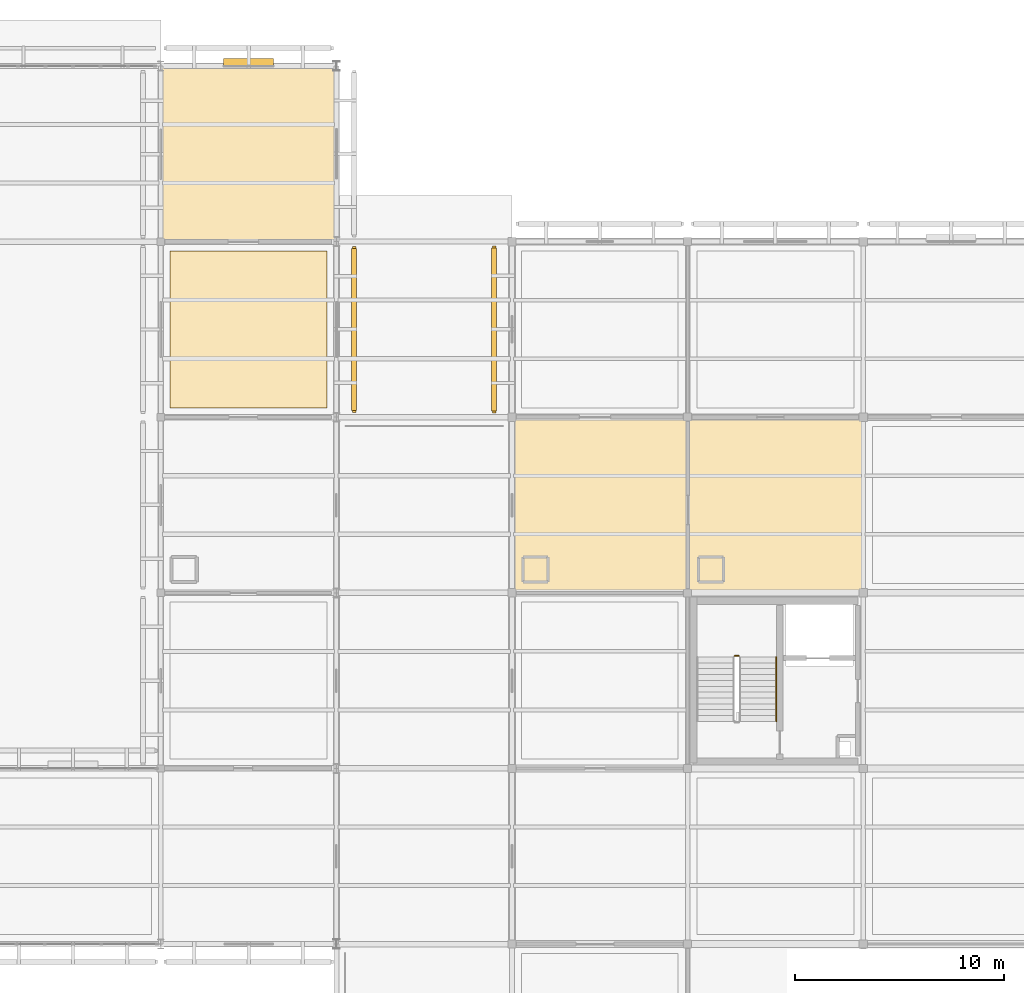
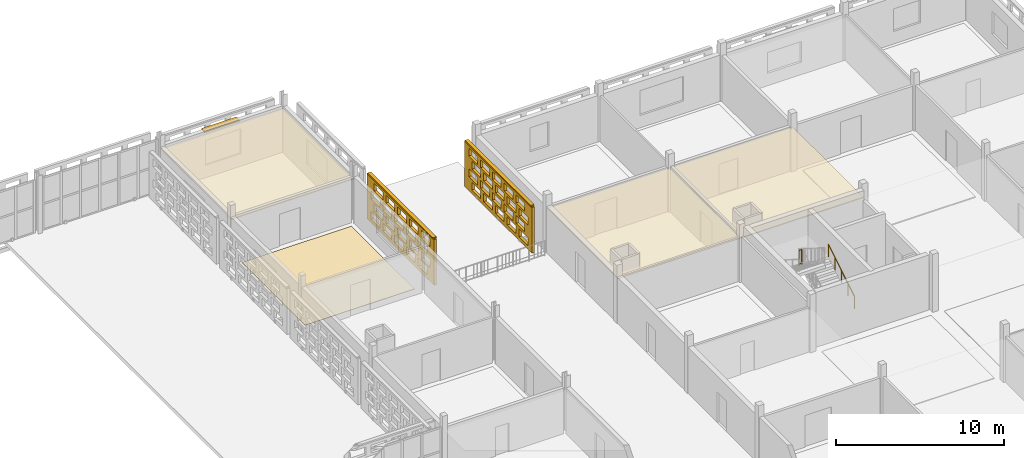
# One storey, part 136 of 140: 6 coverings, 3 shading devices, 2 railings, 40 openings.
"""IFC4 building model written with IfcOpenShell, lengths in metres."""

import ifcopenshell
import ifcopenshell.guid

model = None  # the IFC model being written
_history = None  # IfcOwnerHistory: only IFC2X3 demands one
_inside = {}  # id of a spatial element -> (the spatial element, [elements in it])
_under = {}  # id of a project, library or spatial element -> (it, [spatial elements below it])
_declared = {}  # id of a project -> (the project, [libraries it declares])
_typed = {}  # id of a type object -> (the type object, [elements of that type])
_made_of = {}  # id of a material, layer set ... -> (it, [elements and type objects made of it])


def new_model(schema):
    """Start an empty IFC model of exactly this schema.

    Asked for "IFC4X3", IfcOpenShell would pick the latest addendum, in which some entities
    have other attributes; the version numbers below select the first issue.
    IFC2X3 requires an IfcOwnerHistory on every rooted entity: one is made here for all.
    """
    global model, _history
    if schema == "IFC4X3":
        model = ifcopenshell.file(schema_version=(4, 3, 0, 0))
    else:
        model = ifcopenshell.file(schema=schema)
    _inside.clear()
    _under.clear()
    _declared.clear()
    _typed.clear()
    _made_of.clear()
    _history = None
    if model.schema == "IFC2X3":
        org = make("IfcOrganization", Name="unknown")
        user = make(
            "IfcPersonAndOrganization",
            ThePerson=make("IfcPerson", FamilyName="unknown"),
            TheOrganization=org,
        )
        app = make(
            "IfcApplication",
            ApplicationDeveloper=org,
            Version="unknown",
            ApplicationFullName="unknown",
            ApplicationIdentifier="unknown",
        )
        _history = make(
            "IfcOwnerHistory",
            OwningUser=user,
            OwningApplication=app,
            ChangeAction="ADDED",
            CreationDate=0,
        )
    return model


def make(cls, **values):
    """One entity of the class cls with the attributes given. An attribute that is None is left unset."""
    return model.create_entity(
        cls, **{name: value for name, value in values.items() if value is not None}
    )


def rooted(cls, **values):
    """An entity with a GlobalId (a new one), such as an element, a storey or a relation."""
    return make(cls, GlobalId=ifcopenshell.guid.new(), OwnerHistory=_history, **values)


def si_unit(unit_type, name, prefix=None):
    """IfcSIUnit, for example si_unit("LENGTHUNIT", "METRE", prefix="MILLI")."""
    return make("IfcSIUnit", UnitType=unit_type, Prefix=prefix, Name=name)


def assignment(units):
    """IfcUnitAssignment: the units of a project."""
    return None if units is None else make("IfcUnitAssignment", Units=units)


def point(xyz):
    """IfcCartesianPoint."""
    return None if xyz is None else make("IfcCartesianPoint", Coordinates=xyz)


def direction(xyz):
    """IfcDirection."""
    return None if xyz is None else make("IfcDirection", DirectionRatios=xyz)


def frame(location, z_axis=None, x_axis=None):
    """IfcAxis2Placement3D, a coordinate frame: its origin and axes. An axis left out is left unset."""
    return make(
        "IfcAxis2Placement3D",
        Location=point(location),
        Axis=direction(z_axis),
        RefDirection=direction(x_axis),
    )


def frame_2d(location, x_axis=None):
    """IfcAxis2Placement2D, a coordinate frame in the plane: its origin and x axis."""
    return make(
        "IfcAxis2Placement2D", Location=point(location), RefDirection=direction(x_axis)
    )


def origin():
    """The frame at (0, 0, 0) with its axes left unset."""
    return frame((0.0, 0.0, 0.0))


def origin_2d():
    """The frame at (0, 0) in the plane with its x axis left unset."""
    return frame_2d((0.0, 0.0))


def place(relative_to, where):
    """IfcLocalPlacement: puts the frame where relative to a parent placement (None: the world)."""
    return make(
        "IfcLocalPlacement", PlacementRelTo=relative_to, RelativePlacement=where
    )


def context(
    kind, dimensions, precision=None, world=None, true_north=None, identifier=None
):
    """IfcGeometricRepresentationContext, for example the 3D "Model" context."""
    return make(
        "IfcGeometricRepresentationContext",
        ContextIdentifier=identifier,
        ContextType=kind,
        CoordinateSpaceDimension=dimensions,
        Precision=precision,
        WorldCoordinateSystem=world,
        TrueNorth=true_north,
    )


def subcontext(parent, identifier, kind, view, scale=None):
    """IfcGeometricRepresentationSubContext, for example "Body" below "Model"."""
    return make(
        "IfcGeometricRepresentationSubContext",
        ContextIdentifier=identifier,
        ContextType=kind,
        ParentContext=parent,
        TargetScale=scale,
        TargetView=view,
    )


def project(units=None, contexts=None):
    """IfcProject with its units and contexts."""
    return rooted(
        "IfcProject",
        Name="project",
        RepresentationContexts=contexts,
        UnitsInContext=assignment(units),
    )


def spatial(cls, under=None, at=None, **own):
    """A site, building, storey or space (cls), placed at a placement, below another one or the project."""
    s = rooted(cls, ObjectPlacement=at, **own)
    if under is not None:
        _under.setdefault(under.id(), (under, []))[1].append(s)
    return s


def profile(cls, at=None, kind="AREA", **sizes):
    """A parametric profile (cls). Its sizes go by their IFC names, for example OverallWidth=200.0."""
    return make(cls, ProfileType=kind, Position=at, **sizes)


def rectangle(**sizes):
    """IfcRectangleProfileDef."""
    return profile("IfcRectangleProfileDef", **sizes)


def circle(**sizes):
    """IfcCircleProfileDef."""
    return profile("IfcCircleProfileDef", **sizes)


def extrude(swept, where, along, depth):
    """IfcExtrudedAreaSolid: the profile swept, set in the frame where, extruded along a direction by depth."""
    return make(
        "IfcExtrudedAreaSolid",
        SweptArea=swept,
        Position=where,
        ExtrudedDirection=direction(along),
        Depth=depth,
    )


def shape(context_of_items, identifier, shape_type, items):
    """IfcShapeRepresentation: the items that make up one representation, for example the "Body"."""
    return make(
        "IfcShapeRepresentation",
        ContextOfItems=context_of_items,
        RepresentationIdentifier=identifier,
        RepresentationType=shape_type,
        Items=items,
    )


def material(Name=None, Category=None):
    """IfcMaterial."""
    return make("IfcMaterial", Name=Name, Category=Category)


def layer(
    of_material, thickness, ventilated=None, Name=None, Category=None, Priority=None
):
    """IfcMaterialLayer: one layer of a wall or slab, of a material (None: an air gap)."""
    return make(
        "IfcMaterialLayer",
        Material=of_material,
        LayerThickness=thickness,
        IsVentilated=ventilated,
        Name=Name,
        Category=Category,
        Priority=Priority,
    )


def layer_set(layers, Name=None):
    """IfcMaterialLayerSet."""
    return make("IfcMaterialLayerSet", MaterialLayers=layers, LayerSetName=Name)


def made_of(thing, what):
    """Note that an element or type object is made of a material, layer set ...; save() writes the relation."""
    if what is not None:
        _made_of.setdefault(what.id(), (what, []))[1].append(thing)
    return thing


def type_object(cls, material=None, **own):
    """A type object (cls), such as IfcWallType, which elements share."""
    return made_of(rooted(cls, **own), material)


def element(
    cls,
    number,
    at=None,
    inside=None,
    cuts=None,
    type_object=None,
    material=None,
    context=None,
    identifier="Body",
    shape_type=None,
    held_by="IfcProductDefinitionShape",
    body=None,
    shapes=None,
    **own,
):
    """One element of the class cls, such as IfcWall. Its Tag is "e" and its number.

    at: its placement. inside: the storey or other place that contains it. cuts: it is an
    opening in that element (IfcRelVoidsElement). A single representation is given by context,
    identifier, shape_type and body (its items); several are given by shapes. held_by: the class
    of the entity that holds the representations. save() writes the other relations.
    """
    e = rooted(cls, Tag="e%d" % number, ObjectPlacement=at, **own)
    if body is not None:
        shapes = [shape(context, identifier, shape_type, body)]
    if shapes is not None:
        e.Representation = make(held_by, Representations=shapes)
    if inside is not None:
        _inside.setdefault(inside.id(), (inside, []))[1].append(e)
    if cuts is not None:
        rooted(
            "IfcRelVoidsElement", RelatingBuildingElement=cuts, RelatedOpeningElement=e
        )
    if type_object is not None:
        _typed.setdefault(type_object.id(), (type_object, []))[1].append(e)
    return made_of(e, material)


def aggregate(whole, parts):
    """IfcRelAggregates: a whole, such as a stair, and the parts it consists of."""
    return rooted("IfcRelAggregates", RelatingObject=whole, RelatedObjects=parts)


def save(model, path):
    """Write the relations noted so far, then the file.

    IfcRelAggregates (storeys below a building ...), IfcRelContainedInSpatialStructure (elements
    in a storey), IfcRelDefinesByType, IfcRelAssociatesMaterial and IfcRelDeclares: one each for
    every whole, place, type object, material and project.
    """
    for whole, parts in _under.values():
        aggregate(whole, parts)
    for where, things in _inside.values():
        rooted(
            "IfcRelContainedInSpatialStructure",
            RelatedElements=things,
            RelatingStructure=where,
        )
    for kind, things in _typed.values():
        rooted("IfcRelDefinesByType", RelatedObjects=things, RelatingType=kind)
    for what, things in _made_of.values():
        rooted("IfcRelAssociatesMaterial", RelatedObjects=things, RelatingMaterial=what)
    for by, libraries in _declared.values():
        rooted("IfcRelDeclares", RelatingContext=by, RelatedDefinitions=libraries)
    model.write(path)


model = new_model("IFC4")

# Units and contexts
model_context = context("Model", 3, precision=1e-05, world=origin(), true_north=direction((0.0, 1.0)))
body_context = subcontext(model_context, "Body", "Model", "MODEL_VIEW")
ifc_project = project(units=[si_unit("LENGTHUNIT", "METRE"), si_unit("AREAUNIT", "SQUARE_METRE"), si_unit("VOLUMEUNIT", "CUBIC_METRE"), si_unit("PLANEANGLEUNIT", "RADIAN"), si_unit("MASSUNIT", "GRAM", prefix="KILO")], contexts=[model_context])

# Site, building, storey
site_placement = place(None, origin())
site = spatial("IfcSite", under=ifc_project, at=site_placement, CompositionType="ELEMENT")
building_placement = place(site_placement, origin())
building = spatial("IfcBuilding", under=site, at=building_placement, Name="Varnapada Polytechnic", CompositionType="ELEMENT")
storey_placement = place(building_placement, frame((0.0, 0.0, 13.800048828125)))
storey = spatial("IfcBuildingStorey", under=building, at=storey_placement, Name="L03", CompositionType="ELEMENT", Elevation=13.800048828125)

# Covering
ifc_material_1 = material(Name="Acoustic Rubber Seminar Flooring")
ifc_layer_1 = layer(ifc_material_1, 0.0400390625)
ifc_layer_set_1 = layer_set([ifc_layer_1], Name="Acoustic Rubber Seminar Flooring")
covering_type_1 = type_object("IfcCoveringType", Name="Floor Finish FLR-06", PredefinedType="FLOORING", material=ifc_layer_set_1)
covering_1_placement = place(storey_placement, frame((130.199951171875, 113.39990234375, 0.0), z_axis=(0.0, 0.0, 1.0), x_axis=(1.0, 0.0, 0.0)))
element("IfcCovering", 1, at=covering_1_placement, inside=storey, type_object=covering_type_1, Name="L03 floor finish panel (16,14)", PredefinedType="FLOORING", context=body_context, shape_type="SweptSolid", body=[
    extrude(rectangle(XDim=7.5, YDim=7.5, at=origin_2d()), origin(), (0.0, 0.0, 1.0), 0.0400390625),
])

# Shading device
ifc_material_2 = material(Name="Anodised aluminium", Category="aluminium")
ifc_layer_2 = layer(ifc_material_2, 0.35009765625)
ifc_layer_set_2 = layer_set([ifc_layer_2], Name="Anodised aluminium")
shading_device_type_1 = type_object("IfcShadingDeviceType", Name="Solar Louvre LVR-01", PredefinedType="JALOUSIE", material=ifc_layer_set_2)
shading_device_1_placement = place(storey_placement, frame((130.199951171875, 126.179931640625, 3.159912109375), z_axis=(0.0, 0.0, 1.0), x_axis=(1.0, 0.0, 0.0)))
element("IfcShadingDevice", 2, at=shading_device_1_placement, inside=storey, type_object=shading_device_type_1, Name="L03 aluminium sun louvre 76", PredefinedType="JALOUSIE", context=body_context, shape_type="SweptSolid", body=[
    extrude(rectangle(XDim=2.39990234375, YDim=0.340087890625, at=origin_2d()), origin(), (0.0, 0.0, 1.0), 0.1201171875),
])

# Railings
ifc_material_3 = material(Name="Brushed Stainless Steel 316", Category="steel")
railing_type_1 = type_object("IfcRailingType", Name="Stair Wall Handrail SHR-01", PredefinedType="HANDRAIL", material=ifc_material_3)
railing_1_placement = place(storey_placement, frame((155.449951171875, 94.64990234375, 0.175048828125)))
element("IfcRailing", 3, at=railing_1_placement, inside=storey, type_object=railing_type_1, Name="L03 ST-5 stair handrail 1", PredefinedType="HANDRAIL", context=body_context, shape_type="SweptSolid", body=[
    extrude(circle(Radius=0.02392578125, at=origin_2d()), frame((0.0, 0.0, 0.8759765625), z_axis=(0.0, 0.848028513186, 0.529950602248), x_axis=(-1.0, 0.0, 0.0)), (0.0, 0.0, 1.0), 3.632080078125),
    extrude(circle(Radius=0.02099609375, at=origin_2d()), origin(), (0.0, 0.0, 1.0), 0.851806640625),
    extrude(circle(Radius=0.02099609375, at=origin_2d()), frame((0.0, 0.77001953125, 0.481201171875)), (0.0, 0.0, 1.0), 0.851806640625),
    extrude(circle(Radius=0.02099609375, at=origin_2d()), frame((0.0, 1.5400390625, 0.96240234375)), (0.0, 0.0, 1.0), 0.851806640625),
    extrude(circle(Radius=0.02099609375, at=origin_2d()), frame((0.0, 2.31005859375, 1.443603515625)), (0.0, 0.0, 1.0), 0.851806640625),
    extrude(circle(Radius=0.02099609375, at=origin_2d()), frame((0.0, 3.080078125, 1.9248046875)), (0.0, 0.0, 1.0), 0.851806640625),
])
railing_type_2 = type_object("IfcRailingType", Name="Stair Well Guard Rail SGR-01", PredefinedType="BALUSTRADE", material=ifc_material_3)
railing_2_placement = place(storey_placement, frame((153.64990234375, 97.780029296875, 2.099853515625)))
element("IfcRailing", 4, at=railing_2_placement, inside=storey, type_object=railing_type_2, Name="L03 ST-5 stair guard 2", PredefinedType="BALUSTRADE", context=body_context, shape_type="SweptSolid", body=[
    extrude(circle(Radius=0.02392578125, at=origin_2d()), frame((0.0, 0.0, 1.09619140625), z_axis=(-1.0, 0.0, 0.0), x_axis=(0.0, -1.0, 0.0)), (0.0, 0.0, 1.0), 0.199951171875),
    extrude(circle(Radius=0.02392578125, at=origin_2d()), frame((0.0, 0.0, 0.10009765625), z_axis=(-1.0, 0.0, 0.0), x_axis=(0.0, -1.0, 0.0)), (0.0, 0.0, 1.0), 0.199951171875),
    extrude(circle(Radius=0.02099609375, at=origin_2d()), origin(), (0.0, 0.0, 1.0), 1.072021484375),
    extrude(circle(Radius=0.02099609375, at=origin_2d()), frame((-0.199951171875, 0.0, 0.0)), (0.0, 0.0, 1.0), 1.072021484375),
])

# Coverings
ifc_material_4 = material(Name="Mineral Fibre Acoustic Ceiling Tile")
ifc_layer_3 = layer(ifc_material_4, 0.0400390625)
ifc_layer_set_3 = layer_set([ifc_layer_3], Name="Mineral Fibre Acoustic Ceiling Tile")
covering_type_2 = type_object("IfcCoveringType", Name="Suspended Ceiling CLG-01", PredefinedType="CEILING", material=ifc_layer_set_3)
covering_2_placement = place(storey_placement, frame((147.0, 105.0, 3.030029296875), z_axis=(0.0, 0.0, 1.0), x_axis=(1.0, 0.0, 0.0)))
element("IfcCovering", 5, at=covering_2_placement, inside=storey, type_object=covering_type_2, Name="L03 suspended acoustic ceiling (18,13)", PredefinedType="CEILING", context=body_context, shape_type="SweptSolid", body=[
    extrude(rectangle(XDim=8.419921875, YDim=8.419921875, at=origin_2d()), origin(), (0.0, 0.0, 1.0), 0.0400390625),
])
ifc_material_5 = material(Name="Perforated Timber Slatted Baffle Ceiling", Category="wood")
ifc_layer_4 = layer(ifc_material_5, 0.050048828125)
ifc_layer_set_4 = layer_set([ifc_layer_4], Name="Perforated Timber Slatted Baffle Ceiling")
covering_type_3 = type_object("IfcCoveringType", Name="Suspended Ceiling CLG-02", PredefinedType="CEILING", material=ifc_layer_set_4)
covering_3_placement = place(storey_placement, frame((130.199951171875, 121.800048828125, 3.02490234375), z_axis=(0.0, 0.0, 1.0), x_axis=(1.0, 0.0, 0.0)))
element("IfcCovering", 6, at=covering_3_placement, inside=storey, type_object=covering_type_3, Name="L03 suspended acoustic ceiling (16,15)", PredefinedType="CEILING", context=body_context, shape_type="SweptSolid", body=[
    extrude(rectangle(XDim=8.419921875, YDim=8.419921875, at=origin_2d()), origin(), (0.0, 0.0, 1.0), 0.050048828125),
])
ifc_material_6 = material(Name="Deep Acoustic Auditorium Cloud Baffle")
ifc_layer_5 = layer(ifc_material_6, 0.06494140625)
ifc_layer_set_5 = layer_set([ifc_layer_5], Name="Deep Acoustic Auditorium Cloud Baffle")
covering_type_4 = type_object("IfcCoveringType", Name="Suspended Ceiling CLG-07", PredefinedType="CEILING", material=ifc_layer_set_5)
covering_4_placement = place(storey_placement, frame((155.39990234375, 105.0, 3.017578125), z_axis=(0.0, 0.0, 1.0), x_axis=(1.0, 0.0, 0.0)))
element("IfcCovering", 7, at=covering_4_placement, inside=storey, type_object=covering_type_4, Name="L03 suspended acoustic ceiling (19,13)", PredefinedType="CEILING", context=body_context, shape_type="SweptSolid", body=[
    extrude(rectangle(XDim=8.419921875, YDim=8.419921875, at=origin_2d()), origin(), (0.0, 0.0, 1.0), 0.06494140625),
])

# Covering, openings
ifc_material_7 = material(Name="Earth-toned architectural terracotta screen block", Category="masonry")
ifc_layer_6 = layer(ifc_material_7, 0.1201171875)
ifc_layer_set_6 = layer_set([ifc_layer_6], Name="Earth-toned architectural terracotta screen block")
covering_type_5 = type_object("IfcCoveringType", Name="Terracotta Screen Cladding CLD-01", PredefinedType="CLADDING", material=ifc_layer_set_6)
covering_5_placement = place(storey_placement, frame((135.25, 117.375, 0.0), z_axis=(0.0, 0.0, 1.0), x_axis=(0.0, -1.0, 0.0)))
covering_5 = element("IfcCovering", 8, at=covering_5_placement, inside=storey, type_object=covering_type_5, Name="L03 perforated terracotta block screen (75)", PredefinedType="CLADDING", context=body_context, shape_type="SweptSolid", body=[
    extrude(rectangle(XDim=7.949951171875, YDim=0.179931640625, at=frame_2d((3.97509765625, 0.0))), origin(), (0.0, 0.0, 1.0), 3.320068359375),
])
opening_1_placement = place(covering_5_placement, frame((0.47509765625, 0.0, 0.265625)))
element("IfcOpeningElement", 9, at=opening_1_placement, cuts=covering_5, Name="Screen perforation TBS-L03-074.1", PredefinedType="OPENING", context=body_context, shape_type="SweptSolid", body=[
    extrude(rectangle(XDim=1.0400390625, YDim=0.5810546875, at=frame_2d((0.52001953125, 0.29052734375))), frame((0.0, 0.099853515625, 0.0), z_axis=(0.0, -1.0, 0.0), x_axis=(1.0, 0.0, 0.0)), (0.0, 0.0, 1.0), 0.199951171875),
])
opening_2_placement = place(covering_5_placement, frame((1.875, 0.0, 0.265625)))
element("IfcOpeningElement", 10, at=opening_2_placement, cuts=covering_5, Name="Screen perforation TBS-L03-074.2", PredefinedType="OPENING", context=body_context, shape_type="SweptSolid", body=[
    extrude(rectangle(XDim=1.0400390625, YDim=0.5810546875, at=frame_2d((0.52001953125, 0.29052734375))), frame((0.0, 0.099853515625, 0.0), z_axis=(0.0, -1.0, 0.0), x_axis=(1.0, 0.0, 0.0)), (0.0, 0.0, 1.0), 0.199951171875),
])
opening_3_placement = place(covering_5_placement, frame((3.27490234375, 0.0, 0.265625)))
element("IfcOpeningElement", 11, at=opening_3_placement, cuts=covering_5, Name="Screen perforation TBS-L03-074.3", PredefinedType="OPENING", context=body_context, shape_type="SweptSolid", body=[
    extrude(rectangle(XDim=1.0400390625, YDim=0.5810546875, at=frame_2d((0.52001953125, 0.29052734375))), frame((0.0, 0.099853515625, 0.0), z_axis=(0.0, -1.0, 0.0), x_axis=(1.0, 0.0, 0.0)), (0.0, 0.0, 1.0), 0.199951171875),
])
opening_4_placement = place(covering_5_placement, frame((4.675048828125, 0.0, 0.265625)))
element("IfcOpeningElement", 12, at=opening_4_placement, cuts=covering_5, Name="Screen perforation TBS-L03-074.4", PredefinedType="OPENING", context=body_context, shape_type="SweptSolid", body=[
    extrude(rectangle(XDim=1.0400390625, YDim=0.5810546875, at=frame_2d((0.52001953125, 0.29052734375))), frame((0.0, 0.099853515625, 0.0), z_axis=(0.0, -1.0, 0.0), x_axis=(1.0, 0.0, 0.0)), (0.0, 0.0, 1.0), 0.199951171875),
])
opening_5_placement = place(covering_5_placement, frame((6.074951171875, 0.0, 0.265625)))
element("IfcOpeningElement", 13, at=opening_5_placement, cuts=covering_5, Name="Screen perforation TBS-L03-074.5", PredefinedType="OPENING", context=body_context, shape_type="SweptSolid", body=[
    extrude(rectangle(XDim=1.0400390625, YDim=0.5810546875, at=frame_2d((0.52001953125, 0.29052734375))), frame((0.0, 0.099853515625, 0.0), z_axis=(0.0, -1.0, 0.0), x_axis=(1.0, 0.0, 0.0)), (0.0, 0.0, 1.0), 0.199951171875),
])
opening_6_placement = place(covering_5_placement, frame((0.8349609375, 0.0, 1.0126953125)))
element("IfcOpeningElement", 14, at=opening_6_placement, cuts=covering_5, Name="Screen perforation TBS-L03-074.6", PredefinedType="OPENING", context=body_context, shape_type="SweptSolid", body=[
    extrude(rectangle(XDim=1.0400390625, YDim=0.5810546875, at=frame_2d((0.52001953125, 0.29052734375))), frame((0.0, 0.099853515625, 0.0), z_axis=(0.0, -1.0, 0.0), x_axis=(1.0, 0.0, 0.0)), (0.0, 0.0, 1.0), 0.199951171875),
])
opening_7_placement = place(covering_5_placement, frame((2.235107421875, 0.0, 1.0126953125)))
element("IfcOpeningElement", 15, at=opening_7_placement, cuts=covering_5, Name="Screen perforation TBS-L03-074.7", PredefinedType="OPENING", context=body_context, shape_type="SweptSolid", body=[
    extrude(rectangle(XDim=1.0400390625, YDim=0.5810546875, at=frame_2d((0.52001953125, 0.29052734375))), frame((0.0, 0.099853515625, 0.0), z_axis=(0.0, -1.0, 0.0), x_axis=(1.0, 0.0, 0.0)), (0.0, 0.0, 1.0), 0.199951171875),
])
opening_8_placement = place(covering_5_placement, frame((3.635009765625, 0.0, 1.0126953125)))
element("IfcOpeningElement", 16, at=opening_8_placement, cuts=covering_5, Name="Screen perforation TBS-L03-074.8", PredefinedType="OPENING", context=body_context, shape_type="SweptSolid", body=[
    extrude(rectangle(XDim=1.0400390625, YDim=0.5810546875, at=frame_2d((0.52001953125, 0.29052734375))), frame((0.0, 0.099853515625, 0.0), z_axis=(0.0, -1.0, 0.0), x_axis=(1.0, 0.0, 0.0)), (0.0, 0.0, 1.0), 0.199951171875),
])
opening_9_placement = place(covering_5_placement, frame((5.034912109375, 0.0, 1.0126953125)))
element("IfcOpeningElement", 17, at=opening_9_placement, cuts=covering_5, Name="Screen perforation TBS-L03-074.9", PredefinedType="OPENING", context=body_context, shape_type="SweptSolid", body=[
    extrude(rectangle(XDim=1.0400390625, YDim=0.5810546875, at=frame_2d((0.52001953125, 0.29052734375))), frame((0.0, 0.099853515625, 0.0), z_axis=(0.0, -1.0, 0.0), x_axis=(1.0, 0.0, 0.0)), (0.0, 0.0, 1.0), 0.199951171875),
])
opening_10_placement = place(covering_5_placement, frame((6.43505859375, 0.0, 1.0126953125)))
element("IfcOpeningElement", 18, at=opening_10_placement, cuts=covering_5, Name="Screen perforation TBS-L03-074.10", PredefinedType="OPENING", context=body_context, shape_type="SweptSolid", body=[
    extrude(rectangle(XDim=1.0400390625, YDim=0.5810546875, at=frame_2d((0.52001953125, 0.29052734375))), frame((0.0, 0.099853515625, 0.0), z_axis=(0.0, -1.0, 0.0), x_axis=(1.0, 0.0, 0.0)), (0.0, 0.0, 1.0), 0.199951171875),
])
opening_11_placement = place(covering_5_placement, frame((0.47509765625, 0.0, 1.759521484375)))
element("IfcOpeningElement", 19, at=opening_11_placement, cuts=covering_5, Name="Screen perforation TBS-L03-074.11", PredefinedType="OPENING", context=body_context, shape_type="SweptSolid", body=[
    extrude(rectangle(XDim=1.0400390625, YDim=0.5810546875, at=frame_2d((0.52001953125, 0.29052734375))), frame((0.0, 0.099853515625, 0.0), z_axis=(0.0, -1.0, 0.0), x_axis=(1.0, 0.0, 0.0)), (0.0, 0.0, 1.0), 0.199951171875),
])
opening_12_placement = place(covering_5_placement, frame((1.875, 0.0, 1.759521484375)))
element("IfcOpeningElement", 20, at=opening_12_placement, cuts=covering_5, Name="Screen perforation TBS-L03-074.12", PredefinedType="OPENING", context=body_context, shape_type="SweptSolid", body=[
    extrude(rectangle(XDim=1.0400390625, YDim=0.5810546875, at=frame_2d((0.52001953125, 0.29052734375))), frame((0.0, 0.099853515625, 0.0), z_axis=(0.0, -1.0, 0.0), x_axis=(1.0, 0.0, 0.0)), (0.0, 0.0, 1.0), 0.199951171875),
])
opening_13_placement = place(covering_5_placement, frame((3.27490234375, 0.0, 1.759521484375)))
element("IfcOpeningElement", 21, at=opening_13_placement, cuts=covering_5, Name="Screen perforation TBS-L03-074.13", PredefinedType="OPENING", context=body_context, shape_type="SweptSolid", body=[
    extrude(rectangle(XDim=1.0400390625, YDim=0.5810546875, at=frame_2d((0.52001953125, 0.29052734375))), frame((0.0, 0.099853515625, 0.0), z_axis=(0.0, -1.0, 0.0), x_axis=(1.0, 0.0, 0.0)), (0.0, 0.0, 1.0), 0.199951171875),
])
opening_14_placement = place(covering_5_placement, frame((4.675048828125, 0.0, 1.759521484375)))
element("IfcOpeningElement", 22, at=opening_14_placement, cuts=covering_5, Name="Screen perforation TBS-L03-074.14", PredefinedType="OPENING", context=body_context, shape_type="SweptSolid", body=[
    extrude(rectangle(XDim=1.0400390625, YDim=0.5810546875, at=frame_2d((0.52001953125, 0.29052734375))), frame((0.0, 0.099853515625, 0.0), z_axis=(0.0, -1.0, 0.0), x_axis=(1.0, 0.0, 0.0)), (0.0, 0.0, 1.0), 0.199951171875),
])
opening_15_placement = place(covering_5_placement, frame((6.074951171875, 0.0, 1.759521484375)))
element("IfcOpeningElement", 23, at=opening_15_placement, cuts=covering_5, Name="Screen perforation TBS-L03-074.15", PredefinedType="OPENING", context=body_context, shape_type="SweptSolid", body=[
    extrude(rectangle(XDim=1.0400390625, YDim=0.5810546875, at=frame_2d((0.52001953125, 0.29052734375))), frame((0.0, 0.099853515625, 0.0), z_axis=(0.0, -1.0, 0.0), x_axis=(1.0, 0.0, 0.0)), (0.0, 0.0, 1.0), 0.199951171875),
])
opening_16_placement = place(covering_5_placement, frame((0.8349609375, 0.0, 2.506591796875)))
element("IfcOpeningElement", 24, at=opening_16_placement, cuts=covering_5, Name="Screen perforation TBS-L03-074.16", PredefinedType="OPENING", context=body_context, shape_type="SweptSolid", body=[
    extrude(rectangle(XDim=1.0400390625, YDim=0.5810546875, at=frame_2d((0.52001953125, 0.29052734375))), frame((0.0, 0.099853515625, 0.0), z_axis=(0.0, -1.0, 0.0), x_axis=(1.0, 0.0, 0.0)), (0.0, 0.0, 1.0), 0.199951171875),
])
opening_17_placement = place(covering_5_placement, frame((2.235107421875, 0.0, 2.506591796875)))
element("IfcOpeningElement", 25, at=opening_17_placement, cuts=covering_5, Name="Screen perforation TBS-L03-074.17", PredefinedType="OPENING", context=body_context, shape_type="SweptSolid", body=[
    extrude(rectangle(XDim=1.0400390625, YDim=0.5810546875, at=frame_2d((0.52001953125, 0.29052734375))), frame((0.0, 0.099853515625, 0.0), z_axis=(0.0, -1.0, 0.0), x_axis=(1.0, 0.0, 0.0)), (0.0, 0.0, 1.0), 0.199951171875),
])
opening_18_placement = place(covering_5_placement, frame((3.635009765625, 0.0, 2.506591796875)))
element("IfcOpeningElement", 26, at=opening_18_placement, cuts=covering_5, Name="Screen perforation TBS-L03-074.18", PredefinedType="OPENING", context=body_context, shape_type="SweptSolid", body=[
    extrude(rectangle(XDim=1.0400390625, YDim=0.5810546875, at=frame_2d((0.52001953125, 0.29052734375))), frame((0.0, 0.099853515625, 0.0), z_axis=(0.0, -1.0, 0.0), x_axis=(1.0, 0.0, 0.0)), (0.0, 0.0, 1.0), 0.199951171875),
])
opening_19_placement = place(covering_5_placement, frame((5.034912109375, 0.0, 2.506591796875)))
element("IfcOpeningElement", 27, at=opening_19_placement, cuts=covering_5, Name="Screen perforation TBS-L03-074.19", PredefinedType="OPENING", context=body_context, shape_type="SweptSolid", body=[
    extrude(rectangle(XDim=1.0400390625, YDim=0.5810546875, at=frame_2d((0.52001953125, 0.29052734375))), frame((0.0, 0.099853515625, 0.0), z_axis=(0.0, -1.0, 0.0), x_axis=(1.0, 0.0, 0.0)), (0.0, 0.0, 1.0), 0.199951171875),
])
opening_20_placement = place(covering_5_placement, frame((6.43505859375, 0.0, 2.506591796875)))
element("IfcOpeningElement", 28, at=opening_20_placement, cuts=covering_5, Name="Screen perforation TBS-L03-074.20", PredefinedType="OPENING", context=body_context, shape_type="SweptSolid", body=[
    extrude(rectangle(XDim=1.0400390625, YDim=0.5810546875, at=frame_2d((0.52001953125, 0.29052734375))), frame((0.0, 0.099853515625, 0.0), z_axis=(0.0, -1.0, 0.0), x_axis=(1.0, 0.0, 0.0)), (0.0, 0.0, 1.0), 0.199951171875),
])

covering_6_placement = place(storey_placement, frame((141.949951171875, 109.39990234375, 0.0), z_axis=(0.0, 0.0, 1.0), x_axis=(0.0, 1.0, 0.0)))
covering_6 = element("IfcCovering", 29, at=covering_6_placement, inside=storey, type_object=covering_type_5, Name="L03 perforated terracotta block screen (87)", PredefinedType="CLADDING", context=body_context, shape_type="SweptSolid", body=[
    extrude(rectangle(XDim=8.0, YDim=0.179931640625, at=frame_2d((4.0, 0.0))), origin(), (0.0, 0.0, 1.0), 3.320068359375),
])
opening_21_placement = place(covering_6_placement, frame((0.5, 0.0, 0.265625)))
element("IfcOpeningElement", 30, at=opening_21_placement, cuts=covering_6, Name="Screen perforation TBS-L03-086.1", PredefinedType="OPENING", context=body_context, shape_type="SweptSolid", body=[
    extrude(rectangle(XDim=1.0400390625, YDim=0.5810546875, at=frame_2d((0.52001953125, 0.29052734375))), frame((0.0, 0.099853515625, 0.0), z_axis=(0.0, -1.0, 0.0), x_axis=(1.0, 0.0, 0.0)), (0.0, 0.0, 1.0), 0.199951171875),
])
opening_22_placement = place(covering_6_placement, frame((1.89990234375, 0.0, 0.265625)))
element("IfcOpeningElement", 31, at=opening_22_placement, cuts=covering_6, Name="Screen perforation TBS-L03-086.2", PredefinedType="OPENING", context=body_context, shape_type="SweptSolid", body=[
    extrude(rectangle(XDim=1.0400390625, YDim=0.5810546875, at=frame_2d((0.52001953125, 0.29052734375))), frame((0.0, 0.099853515625, 0.0), z_axis=(0.0, -1.0, 0.0), x_axis=(1.0, 0.0, 0.0)), (0.0, 0.0, 1.0), 0.199951171875),
])
opening_23_placement = place(covering_6_placement, frame((3.300048828125, 0.0, 0.265625)))
element("IfcOpeningElement", 32, at=opening_23_placement, cuts=covering_6, Name="Screen perforation TBS-L03-086.3", PredefinedType="OPENING", context=body_context, shape_type="SweptSolid", body=[
    extrude(rectangle(XDim=1.0400390625, YDim=0.5810546875, at=frame_2d((0.52001953125, 0.29052734375))), frame((0.0, 0.099853515625, 0.0), z_axis=(0.0, -1.0, 0.0), x_axis=(1.0, 0.0, 0.0)), (0.0, 0.0, 1.0), 0.199951171875),
])
opening_24_placement = place(covering_6_placement, frame((4.699951171875, 0.0, 0.265625)))
element("IfcOpeningElement", 33, at=opening_24_placement, cuts=covering_6, Name="Screen perforation TBS-L03-086.4", PredefinedType="OPENING", context=body_context, shape_type="SweptSolid", body=[
    extrude(rectangle(XDim=1.0400390625, YDim=0.5810546875, at=frame_2d((0.52001953125, 0.29052734375))), frame((0.0, 0.099853515625, 0.0), z_axis=(0.0, -1.0, 0.0), x_axis=(1.0, 0.0, 0.0)), (0.0, 0.0, 1.0), 0.199951171875),
])
opening_25_placement = place(covering_6_placement, frame((6.10009765625, 0.0, 0.265625)))
element("IfcOpeningElement", 34, at=opening_25_placement, cuts=covering_6, Name="Screen perforation TBS-L03-086.5", PredefinedType="OPENING", context=body_context, shape_type="SweptSolid", body=[
    extrude(rectangle(XDim=1.0400390625, YDim=0.5810546875, at=frame_2d((0.52001953125, 0.29052734375))), frame((0.0, 0.099853515625, 0.0), z_axis=(0.0, -1.0, 0.0), x_axis=(1.0, 0.0, 0.0)), (0.0, 0.0, 1.0), 0.199951171875),
])
opening_26_placement = place(covering_6_placement, frame((0.860107421875, 0.0, 1.0126953125)))
element("IfcOpeningElement", 35, at=opening_26_placement, cuts=covering_6, Name="Screen perforation TBS-L03-086.6", PredefinedType="OPENING", context=body_context, shape_type="SweptSolid", body=[
    extrude(rectangle(XDim=1.0400390625, YDim=0.5810546875, at=frame_2d((0.52001953125, 0.29052734375))), frame((0.0, 0.099853515625, 0.0), z_axis=(0.0, -1.0, 0.0), x_axis=(1.0, 0.0, 0.0)), (0.0, 0.0, 1.0), 0.199951171875),
])
opening_27_placement = place(covering_6_placement, frame((2.260009765625, 0.0, 1.0126953125)))
element("IfcOpeningElement", 36, at=opening_27_placement, cuts=covering_6, Name="Screen perforation TBS-L03-086.7", PredefinedType="OPENING", context=body_context, shape_type="SweptSolid", body=[
    extrude(rectangle(XDim=1.0400390625, YDim=0.5810546875, at=frame_2d((0.52001953125, 0.29052734375))), frame((0.0, 0.099853515625, 0.0), z_axis=(0.0, -1.0, 0.0), x_axis=(1.0, 0.0, 0.0)), (0.0, 0.0, 1.0), 0.199951171875),
])
opening_28_placement = place(covering_6_placement, frame((3.659912109375, 0.0, 1.0126953125)))
element("IfcOpeningElement", 37, at=opening_28_placement, cuts=covering_6, Name="Screen perforation TBS-L03-086.8", PredefinedType="OPENING", context=body_context, shape_type="SweptSolid", body=[
    extrude(rectangle(XDim=1.0400390625, YDim=0.5810546875, at=frame_2d((0.52001953125, 0.29052734375))), frame((0.0, 0.099853515625, 0.0), z_axis=(0.0, -1.0, 0.0), x_axis=(1.0, 0.0, 0.0)), (0.0, 0.0, 1.0), 0.199951171875),
])
opening_29_placement = place(covering_6_placement, frame((5.06005859375, 0.0, 1.0126953125)))
element("IfcOpeningElement", 38, at=opening_29_placement, cuts=covering_6, Name="Screen perforation TBS-L03-086.9", PredefinedType="OPENING", context=body_context, shape_type="SweptSolid", body=[
    extrude(rectangle(XDim=1.0400390625, YDim=0.5810546875, at=frame_2d((0.52001953125, 0.29052734375))), frame((0.0, 0.099853515625, 0.0), z_axis=(0.0, -1.0, 0.0), x_axis=(1.0, 0.0, 0.0)), (0.0, 0.0, 1.0), 0.199951171875),
])
opening_30_placement = place(covering_6_placement, frame((6.4599609375, 0.0, 1.0126953125)))
element("IfcOpeningElement", 39, at=opening_30_placement, cuts=covering_6, Name="Screen perforation TBS-L03-086.10", PredefinedType="OPENING", context=body_context, shape_type="SweptSolid", body=[
    extrude(rectangle(XDim=1.0400390625, YDim=0.5810546875, at=frame_2d((0.52001953125, 0.29052734375))), frame((0.0, 0.099853515625, 0.0), z_axis=(0.0, -1.0, 0.0), x_axis=(1.0, 0.0, 0.0)), (0.0, 0.0, 1.0), 0.199951171875),
])
opening_31_placement = place(covering_6_placement, frame((0.5, 0.0, 1.759521484375)))
element("IfcOpeningElement", 40, at=opening_31_placement, cuts=covering_6, Name="Screen perforation TBS-L03-086.11", PredefinedType="OPENING", context=body_context, shape_type="SweptSolid", body=[
    extrude(rectangle(XDim=1.0400390625, YDim=0.5810546875, at=frame_2d((0.52001953125, 0.29052734375))), frame((0.0, 0.099853515625, 0.0), z_axis=(0.0, -1.0, 0.0), x_axis=(1.0, 0.0, 0.0)), (0.0, 0.0, 1.0), 0.199951171875),
])
opening_32_placement = place(covering_6_placement, frame((1.89990234375, 0.0, 1.759521484375)))
element("IfcOpeningElement", 41, at=opening_32_placement, cuts=covering_6, Name="Screen perforation TBS-L03-086.12", PredefinedType="OPENING", context=body_context, shape_type="SweptSolid", body=[
    extrude(rectangle(XDim=1.0400390625, YDim=0.5810546875, at=frame_2d((0.52001953125, 0.29052734375))), frame((0.0, 0.099853515625, 0.0), z_axis=(0.0, -1.0, 0.0), x_axis=(1.0, 0.0, 0.0)), (0.0, 0.0, 1.0), 0.199951171875),
])
opening_33_placement = place(covering_6_placement, frame((3.300048828125, 0.0, 1.759521484375)))
element("IfcOpeningElement", 42, at=opening_33_placement, cuts=covering_6, Name="Screen perforation TBS-L03-086.13", PredefinedType="OPENING", context=body_context, shape_type="SweptSolid", body=[
    extrude(rectangle(XDim=1.0400390625, YDim=0.5810546875, at=frame_2d((0.52001953125, 0.29052734375))), frame((0.0, 0.099853515625, 0.0), z_axis=(0.0, -1.0, 0.0), x_axis=(1.0, 0.0, 0.0)), (0.0, 0.0, 1.0), 0.199951171875),
])
opening_34_placement = place(covering_6_placement, frame((4.699951171875, 0.0, 1.759521484375)))
element("IfcOpeningElement", 43, at=opening_34_placement, cuts=covering_6, Name="Screen perforation TBS-L03-086.14", PredefinedType="OPENING", context=body_context, shape_type="SweptSolid", body=[
    extrude(rectangle(XDim=1.0400390625, YDim=0.5810546875, at=frame_2d((0.52001953125, 0.29052734375))), frame((0.0, 0.099853515625, 0.0), z_axis=(0.0, -1.0, 0.0), x_axis=(1.0, 0.0, 0.0)), (0.0, 0.0, 1.0), 0.199951171875),
])
opening_35_placement = place(covering_6_placement, frame((6.10009765625, 0.0, 1.759521484375)))
element("IfcOpeningElement", 44, at=opening_35_placement, cuts=covering_6, Name="Screen perforation TBS-L03-086.15", PredefinedType="OPENING", context=body_context, shape_type="SweptSolid", body=[
    extrude(rectangle(XDim=1.0400390625, YDim=0.5810546875, at=frame_2d((0.52001953125, 0.29052734375))), frame((0.0, 0.099853515625, 0.0), z_axis=(0.0, -1.0, 0.0), x_axis=(1.0, 0.0, 0.0)), (0.0, 0.0, 1.0), 0.199951171875),
])
opening_36_placement = place(covering_6_placement, frame((0.860107421875, 0.0, 2.506591796875)))
element("IfcOpeningElement", 45, at=opening_36_placement, cuts=covering_6, Name="Screen perforation TBS-L03-086.16", PredefinedType="OPENING", context=body_context, shape_type="SweptSolid", body=[
    extrude(rectangle(XDim=1.0400390625, YDim=0.5810546875, at=frame_2d((0.52001953125, 0.29052734375))), frame((0.0, 0.099853515625, 0.0), z_axis=(0.0, -1.0, 0.0), x_axis=(1.0, 0.0, 0.0)), (0.0, 0.0, 1.0), 0.199951171875),
])
opening_37_placement = place(covering_6_placement, frame((2.260009765625, 0.0, 2.506591796875)))
element("IfcOpeningElement", 46, at=opening_37_placement, cuts=covering_6, Name="Screen perforation TBS-L03-086.17", PredefinedType="OPENING", context=body_context, shape_type="SweptSolid", body=[
    extrude(rectangle(XDim=1.0400390625, YDim=0.5810546875, at=frame_2d((0.52001953125, 0.29052734375))), frame((0.0, 0.099853515625, 0.0), z_axis=(0.0, -1.0, 0.0), x_axis=(1.0, 0.0, 0.0)), (0.0, 0.0, 1.0), 0.199951171875),
])
opening_38_placement = place(covering_6_placement, frame((3.659912109375, 0.0, 2.506591796875)))
element("IfcOpeningElement", 47, at=opening_38_placement, cuts=covering_6, Name="Screen perforation TBS-L03-086.18", PredefinedType="OPENING", context=body_context, shape_type="SweptSolid", body=[
    extrude(rectangle(XDim=1.0400390625, YDim=0.5810546875, at=frame_2d((0.52001953125, 0.29052734375))), frame((0.0, 0.099853515625, 0.0), z_axis=(0.0, -1.0, 0.0), x_axis=(1.0, 0.0, 0.0)), (0.0, 0.0, 1.0), 0.199951171875),
])
opening_39_placement = place(covering_6_placement, frame((5.06005859375, 0.0, 2.506591796875)))
element("IfcOpeningElement", 48, at=opening_39_placement, cuts=covering_6, Name="Screen perforation TBS-L03-086.19", PredefinedType="OPENING", context=body_context, shape_type="SweptSolid", body=[
    extrude(rectangle(XDim=1.0400390625, YDim=0.5810546875, at=frame_2d((0.52001953125, 0.29052734375))), frame((0.0, 0.099853515625, 0.0), z_axis=(0.0, -1.0, 0.0), x_axis=(1.0, 0.0, 0.0)), (0.0, 0.0, 1.0), 0.199951171875),
])
opening_40_placement = place(covering_6_placement, frame((6.4599609375, 0.0, 2.506591796875)))
element("IfcOpeningElement", 49, at=opening_40_placement, cuts=covering_6, Name="Screen perforation TBS-L03-086.20", PredefinedType="OPENING", context=body_context, shape_type="SweptSolid", body=[
    extrude(rectangle(XDim=1.0400390625, YDim=0.5810546875, at=frame_2d((0.52001953125, 0.29052734375))), frame((0.0, 0.099853515625, 0.0), z_axis=(0.0, -1.0, 0.0), x_axis=(1.0, 0.0, 0.0)), (0.0, 0.0, 1.0), 0.199951171875),
])

# Shading devices
ifc_layer_7 = layer(ifc_material_7, 0.179931640625)
ifc_layer_set_7 = layer_set([ifc_layer_7], Name="Earth-toned architectural terracotta screen block")
shading_device_type_2 = type_object("IfcShadingDeviceType", Name="Terracotta Screen SCR-01", PredefinedType="USERDEFINED", material=ifc_layer_set_7)
shading_device_2_placement = place(storey_placement, frame((135.25, 113.39990234375, 3.309814453125), z_axis=(0.0, 0.0, 1.0), x_axis=(0.0, -1.0, 0.0)))
element("IfcShadingDevice", 50, at=shading_device_2_placement, inside=storey, type_object=shading_device_type_2, Name="L03 perforated terracotta screen hood 402", ObjectType="SCREEN", PredefinedType="USERDEFINED", context=body_context, shape_type="SweptSolid", body=[
    extrude(rectangle(XDim=7.75, YDim=0.239990234375, at=origin_2d()), origin(), (0.0, 0.0, 1.0), 0.10009765625),
])
shading_device_3_placement = place(storey_placement, frame((141.949951171875, 113.39990234375, 3.309814453125), z_axis=(0.0, 0.0, 1.0), x_axis=(0.0, 1.0, 0.0)))
element("IfcShadingDevice", 51, at=shading_device_3_placement, inside=storey, type_object=shading_device_type_2, Name="L03 perforated terracotta screen hood 409", ObjectType="SCREEN", PredefinedType="USERDEFINED", context=body_context, shape_type="SweptSolid", body=[
    extrude(rectangle(XDim=7.800048828125, YDim=0.239990234375, at=origin_2d()), origin(), (0.0, 0.0, 1.0), 0.10009765625),
])

save(model, "model.ifc")
